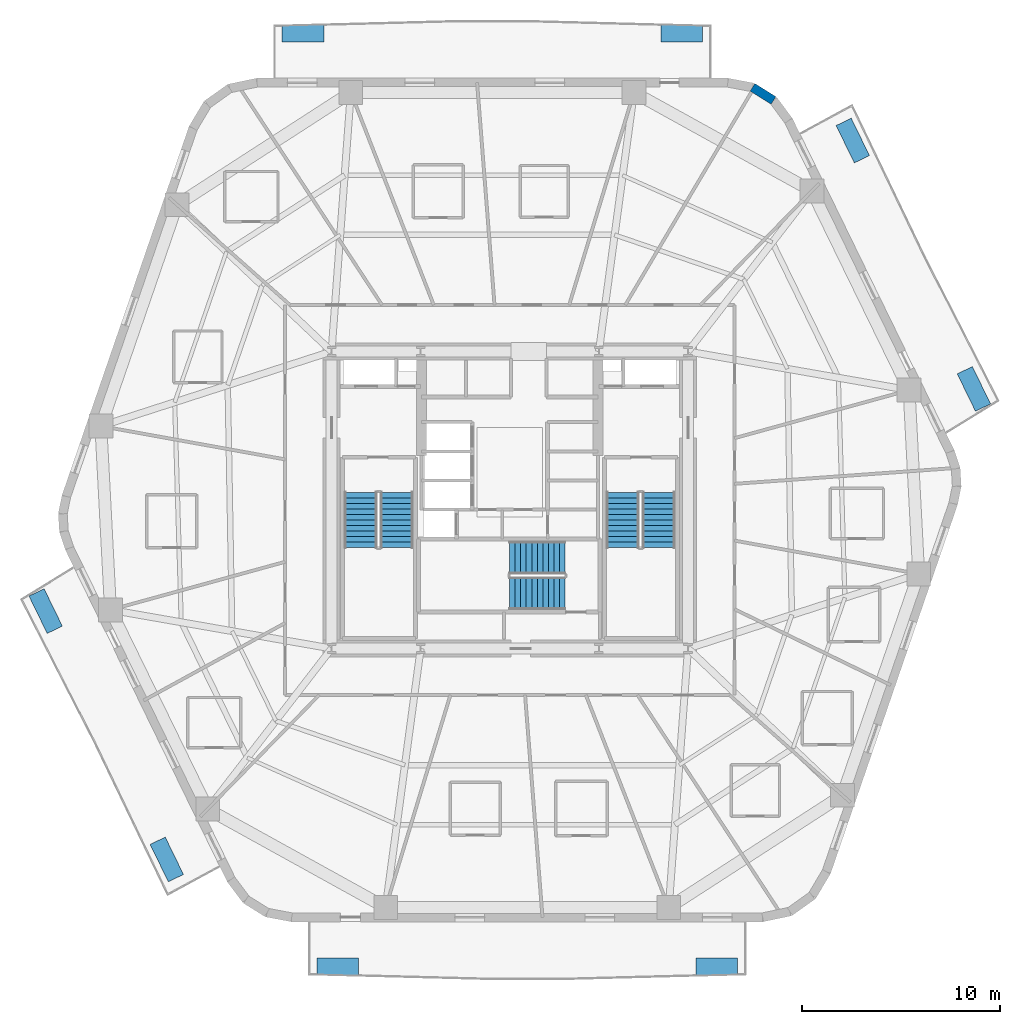
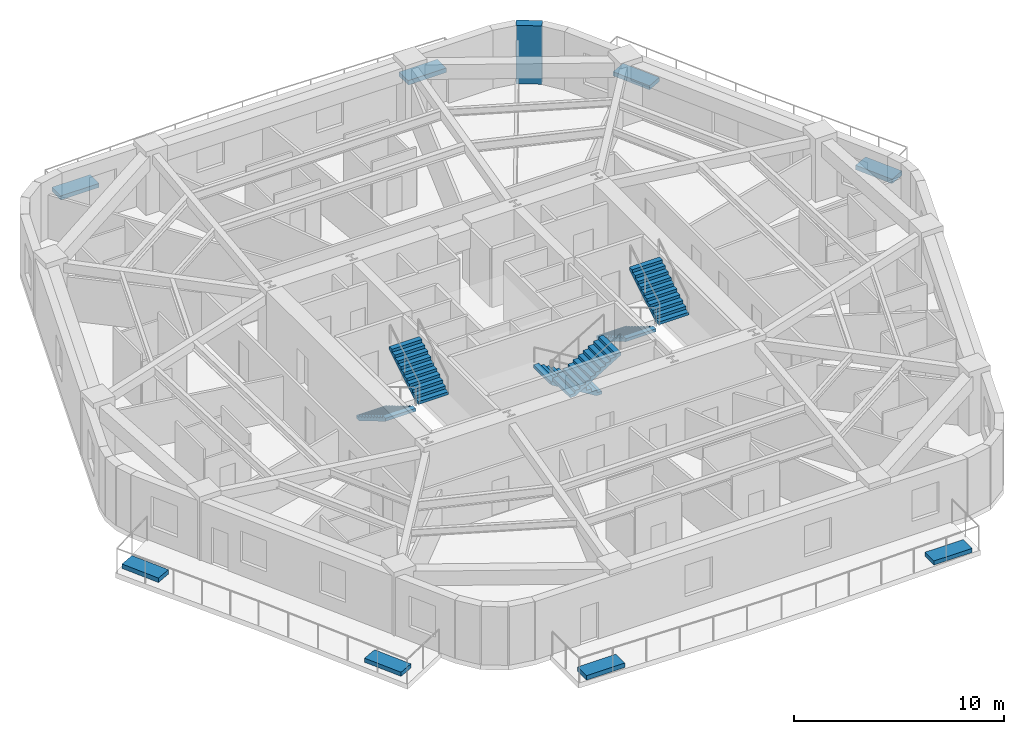
# One storey, part 7 of 10: 8 discrete accessories, 6 stair flights, 1 wall, 3 elements without a shape of their own.
"""IFC4 building model written with IfcOpenShell, lengths in metres."""

from ifc_helpers import new_model, si_unit, direction, frame, frame_2d, origin, origin_2d, place, context, subcontext, project, spatial, polyline, rectangle, outline, extrude, material, layer, layer_set, type_object, element, aggregate, save


model = new_model("IFC4")

# Units and contexts
model_context = context("Model", 3, precision=1e-05, world=origin(), true_north=direction((0.0, 1.0)))
body_context = subcontext(model_context, "Body", "Model", "MODEL_VIEW")
ifc_project = project(units=[si_unit("LENGTHUNIT", "METRE"), si_unit("AREAUNIT", "SQUARE_METRE"), si_unit("VOLUMEUNIT", "CUBIC_METRE"), si_unit("PLANEANGLEUNIT", "RADIAN"), si_unit("MASSUNIT", "GRAM", prefix="KILO")], contexts=[model_context])

# Site, building, storey
site_placement = place(None, origin())
site = spatial("IfcSite", under=ifc_project, at=site_placement, CompositionType="ELEMENT")
building_placement = place(site_placement, origin())
building = spatial("IfcBuilding", under=site, at=building_placement, Name="Kilnhurst Terrace Hotel", CompositionType="ELEMENT")
storey_placement = place(building_placement, frame((0.0, 0.0, 95.10009765625)))
storey = spatial("IfcBuildingStorey", under=building, at=storey_placement, Name="L22", CompositionType="ELEMENT", Elevation=95.10009765625)

# Wall
ifc_material_1 = material(Name="Precast concrete C40/50", Category="concrete")
ifc_layer = layer(ifc_material_1, 0.449951171875, Name="Precast concrete C40/50")
ifc_layer_set = layer_set([ifc_layer], Name="Precast concrete C40/50")
wall_type = type_object("IfcWallType", Name="WL-BRK-450", PredefinedType="SOLIDWALL", material=ifc_layer_set)
wall_placement = place(storey_placement, frame((13.317626953125, 20.1787109375, 0.0), z_axis=(0.0, 0.0, 1.0), x_axis=(-0.848031272749, 0.529946186362, 0.0)))
element("IfcWall", 1, at=wall_placement, inside=storey, type_object=wall_type, Name="L22 Rounded Corner Brick Wall C4.2", PredefinedType="SOLIDWALL", context=body_context, shape_type="SweptSolid", body=[
    extrude(rectangle(XDim=1.248046875, YDim=0.449951171875, at=frame_2d((0.6240234375, 0.0))), origin(), (0.0, 0.0, 1.0), 3.39990234375),
])

# Stair, stair flights
ifc_material_2 = material(Name="Concrete C50/60", Category="concrete")
stair_type = type_object("IfcStairType", Name="STR-CORE-1660", PredefinedType="HALF_TURN_STAIR", material=ifc_material_2)
stair_1_placement = place(storey_placement, origin())
stair_1 = element("IfcStair", 2, at=stair_1_placement, inside=storey, type_object=stair_type, Name="L22 ST-1", PredefinedType="HALF_TURN_STAIR")
stair_flight_type = type_object("IfcStairFlightType", Name="FLT-RC-1660", PredefinedType="STRAIGHT", material=ifc_material_2)
stair_flight_1_placement = place(storey_placement, frame((-7.52001953125, 0.389892578125, 0.0), z_axis=(0.0, 0.0, 1.0), x_axis=(0.0, -1.0, 0.0)))
stair_flight_1 = element("IfcStairFlight", 3, at=stair_flight_1_placement, type_object=stair_flight_type, Name="ST-1 flight 1", NumberOfRisers=11, NumberOfTreads=10, PredefinedType="STRAIGHT", RiserHeight=0.168181818, TreadLength=0.28, context=body_context, shape_type="SweptSolid", body=[
    extrude(outline(polyline([(0.0, 0.0), (0.0, 0.168212890625), (0.280029296875, 0.168212890625), (0.280029296875, 0.33642578125), (0.56005859375, 0.33642578125), (0.56005859375, 0.504638671875), (0.840087890625, 0.504638671875), (0.840087890625, 0.672607421875), (1.1201171875, 0.672607421875), (1.1201171875, 0.8408203125), (1.39990234375, 0.8408203125), (1.39990234375, 1.009033203125), (1.679931640625, 1.009033203125), (1.679931640625, 1.17724609375), (1.9599609375, 1.17724609375), (1.9599609375, 1.345458984375), (2.239990234375, 1.345458984375), (2.239990234375, 1.513671875), (2.52001953125, 1.513671875), (2.52001953125, 1.681884765625), (2.800048828125, 1.681884765625), (2.800048828125, 1.85009765625), (2.800048828125, 1.5068359375), (0.291015625, 0.0), (0.0, 0.0)])), frame((0.0, 0.830078125, 0.0), z_axis=(0.0, -1.0, 0.0), x_axis=(1.0, 0.0, 0.0)), (0.0, 0.0, 1.0), 1.659912109375),
])
stair_flight_2_placement = place(storey_placement, frame((-5.7099609375, -2.409912109375, 1.849853515625), z_axis=(0.0, 0.0, 1.0), x_axis=(0.0, 1.0, 0.0)))
stair_flight_2 = element("IfcStairFlight", 4, at=stair_flight_2_placement, type_object=stair_flight_type, Name="ST-1 flight 2", NumberOfRisers=11, NumberOfTreads=10, PredefinedType="STRAIGHT", RiserHeight=0.168181818, TreadLength=0.28, context=body_context, shape_type="SweptSolid", body=[
    extrude(outline(polyline([(0.0, 0.0), (0.0, 0.168212890625), (0.280029296875, 0.168212890625), (0.280029296875, 0.33642578125), (0.56005859375, 0.33642578125), (0.56005859375, 0.504638671875), (0.840087890625, 0.504638671875), (0.840087890625, 0.672607421875), (1.1201171875, 0.672607421875), (1.1201171875, 0.8408203125), (1.39990234375, 0.8408203125), (1.39990234375, 1.009033203125), (1.679931640625, 1.009033203125), (1.679931640625, 1.17724609375), (1.9599609375, 1.17724609375), (1.9599609375, 1.345458984375), (2.239990234375, 1.345458984375), (2.239990234375, 1.513671875), (2.52001953125, 1.513671875), (2.52001953125, 1.681884765625), (2.800048828125, 1.681884765625), (2.800048828125, 1.85009765625), (2.800048828125, 1.5068359375), (0.291015625, 0.0), (0.0, 0.0)])), frame((0.0, 0.830078125, 0.0), z_axis=(0.0, -1.0, 0.0), x_axis=(1.0, 0.0, 0.0)), (0.0, 0.0, 1.0), 1.659912109375),
])
aggregate(stair_1, [stair_flight_1, stair_flight_2])

stair_2_placement = place(storey_placement, origin())
stair_2 = element("IfcStair", 5, at=stair_2_placement, inside=storey, type_object=stair_type, Name="L22 ST-2", PredefinedType="HALF_TURN_STAIR")
stair_flight_3_placement = place(storey_placement, frame((5.7099609375, 0.389892578125, 0.0), z_axis=(0.0, 0.0, 1.0), x_axis=(0.0, -1.0, 0.0)))
stair_flight_3 = element("IfcStairFlight", 6, at=stair_flight_3_placement, type_object=stair_flight_type, Name="ST-2 flight 1", NumberOfRisers=11, NumberOfTreads=10, PredefinedType="STRAIGHT", RiserHeight=0.168181818, TreadLength=0.28, context=body_context, shape_type="SweptSolid", body=[
    extrude(outline(polyline([(0.0, 0.0), (0.0, 0.168212890625), (0.280029296875, 0.168212890625), (0.280029296875, 0.33642578125), (0.56005859375, 0.33642578125), (0.56005859375, 0.504638671875), (0.840087890625, 0.504638671875), (0.840087890625, 0.672607421875), (1.1201171875, 0.672607421875), (1.1201171875, 0.8408203125), (1.39990234375, 0.8408203125), (1.39990234375, 1.009033203125), (1.679931640625, 1.009033203125), (1.679931640625, 1.17724609375), (1.9599609375, 1.17724609375), (1.9599609375, 1.345458984375), (2.239990234375, 1.345458984375), (2.239990234375, 1.513671875), (2.52001953125, 1.513671875), (2.52001953125, 1.681884765625), (2.800048828125, 1.681884765625), (2.800048828125, 1.85009765625), (2.800048828125, 1.5068359375), (0.291015625, 0.0), (0.0, 0.0)])), frame((0.0, 0.830078125, 0.0), z_axis=(0.0, -1.0, 0.0), x_axis=(1.0, 0.0, 0.0)), (0.0, 0.0, 1.0), 1.659912109375),
])
stair_flight_4_placement = place(storey_placement, frame((7.52001953125, -2.409912109375, 1.849853515625), z_axis=(0.0, 0.0, 1.0), x_axis=(0.0, 1.0, 0.0)))
stair_flight_4 = element("IfcStairFlight", 7, at=stair_flight_4_placement, type_object=stair_flight_type, Name="ST-2 flight 2", NumberOfRisers=11, NumberOfTreads=10, PredefinedType="STRAIGHT", RiserHeight=0.168181818, TreadLength=0.28, context=body_context, shape_type="SweptSolid", body=[
    extrude(outline(polyline([(0.0, 0.0), (0.0, 0.168212890625), (0.280029296875, 0.168212890625), (0.280029296875, 0.33642578125), (0.56005859375, 0.33642578125), (0.56005859375, 0.504638671875), (0.840087890625, 0.504638671875), (0.840087890625, 0.672607421875), (1.1201171875, 0.672607421875), (1.1201171875, 0.8408203125), (1.39990234375, 0.8408203125), (1.39990234375, 1.009033203125), (1.679931640625, 1.009033203125), (1.679931640625, 1.17724609375), (1.9599609375, 1.17724609375), (1.9599609375, 1.345458984375), (2.239990234375, 1.345458984375), (2.239990234375, 1.513671875), (2.52001953125, 1.513671875), (2.52001953125, 1.681884765625), (2.800048828125, 1.681884765625), (2.800048828125, 1.85009765625), (2.800048828125, 1.5068359375), (0.291015625, 0.0), (0.0, 0.0)])), frame((0.0, 0.830078125, 0.0), z_axis=(0.0, -1.0, 0.0), x_axis=(1.0, 0.0, 0.0)), (0.0, 0.0, 1.0), 1.659912109375),
])
aggregate(stair_2, [stair_flight_3, stair_flight_4])

stair_3_placement = place(storey_placement, origin())
stair_3 = element("IfcStair", 8, at=stair_3_placement, inside=storey, type_object=stair_type, Name="L22 ST-3", PredefinedType="HALF_TURN_STAIR")
stair_flight_5_placement = place(storey_placement, frame((2.7900390625, -2.909912109375, 0.0), z_axis=(0.0, 0.0, 1.0), x_axis=(-1.0, 0.0, 0.0)))
stair_flight_5 = element("IfcStairFlight", 9, at=stair_flight_5_placement, type_object=stair_flight_type, Name="ST-3 flight 1", NumberOfRisers=11, NumberOfTreads=10, PredefinedType="STRAIGHT", RiserHeight=0.168181818, TreadLength=0.28, context=body_context, shape_type="SweptSolid", body=[
    extrude(outline(polyline([(0.0, 0.0), (0.0, 0.168212890625), (0.280029296875, 0.168212890625), (0.280029296875, 0.33642578125), (0.56005859375, 0.33642578125), (0.56005859375, 0.504638671875), (0.840087890625, 0.504638671875), (0.840087890625, 0.672607421875), (1.1201171875, 0.672607421875), (1.1201171875, 0.8408203125), (1.39990234375, 0.8408203125), (1.39990234375, 1.009033203125), (1.679931640625, 1.009033203125), (1.679931640625, 1.17724609375), (1.9599609375, 1.17724609375), (1.9599609375, 1.345458984375), (2.239990234375, 1.345458984375), (2.239990234375, 1.513671875), (2.52001953125, 1.513671875), (2.52001953125, 1.681884765625), (2.800048828125, 1.681884765625), (2.800048828125, 1.85009765625), (2.800048828125, 1.5068359375), (0.291015625, 0.0), (0.0, 0.0)])), frame((0.0, 0.830078125, 0.0), z_axis=(0.0, -1.0, 0.0), x_axis=(1.0, 0.0, 0.0)), (0.0, 0.0, 1.0), 1.659912109375),
])
stair_flight_6_placement = place(storey_placement, frame((-0.010009765625, -4.719970703125, 1.849853515625), z_axis=(0.0, 0.0, 1.0), x_axis=(1.0, 0.0, 0.0)))
stair_flight_6 = element("IfcStairFlight", 10, at=stair_flight_6_placement, type_object=stair_flight_type, Name="ST-3 flight 2", NumberOfRisers=11, NumberOfTreads=10, PredefinedType="STRAIGHT", RiserHeight=0.168181818, TreadLength=0.28, context=body_context, shape_type="SweptSolid", body=[
    extrude(outline(polyline([(0.0, 0.0), (0.0, 0.168212890625), (0.280029296875, 0.168212890625), (0.280029296875, 0.33642578125), (0.56005859375, 0.33642578125), (0.56005859375, 0.504638671875), (0.840087890625, 0.504638671875), (0.840087890625, 0.672607421875), (1.1201171875, 0.672607421875), (1.1201171875, 0.8408203125), (1.39990234375, 0.8408203125), (1.39990234375, 1.009033203125), (1.679931640625, 1.009033203125), (1.679931640625, 1.17724609375), (1.9599609375, 1.17724609375), (1.9599609375, 1.345458984375), (2.239990234375, 1.345458984375), (2.239990234375, 1.513671875), (2.52001953125, 1.513671875), (2.52001953125, 1.681884765625), (2.800048828125, 1.681884765625), (2.800048828125, 1.85009765625), (2.800048828125, 1.5068359375), (0.291015625, 0.0), (0.0, 0.0)])), frame((0.0, 0.830078125, 0.0), z_axis=(0.0, -1.0, 0.0), x_axis=(1.0, 0.0, 0.0)), (0.0, 0.0, 1.0), 1.659912109375),
])
aggregate(stair_3, [stair_flight_5, stair_flight_6])

# Discrete accessories
ifc_material_3 = material(Name="Precast Concrete C40/50 Shrub Planter", Category="concrete")
discrete_accessory_type_1 = type_object("IfcDiscreteAccessoryType", Name="PLN-SHRUB-240", PredefinedType="USERDEFINED", material=ifc_material_3)
for number, where, z_axis, x_axis, name in (
    (11, (17.321044921875, 18.15234375, 0.0), (0.0, 0.0, 1.0), (-0.438386833638, 0.898786395142, 0.0), "L22 Structural Tree Planter Box PLANTER BAL-L1A.2"),
    (12, (-10.443603515625, 23.550048828125, 0.0), (0.0, 0.0, 1.0), (-1.0, 0.0, 0.0), "L22 Structural Tree Planter Box PLANTER BAL-L1B.2"),
    (13, (-17.321044921875, -18.15234375, 0.0), (0.0, 0.0, 1.0), (0.438386833638, -0.898786395142, 0.0), "L22 Structural Tree Planter Box PLANTER BAL-L2A.2"),
    (14, (10.443603515625, -23.550048828125, 0.0), (0.0, 0.0, 1.0), (1.0, 0.0, 0.0), "L22 Structural Tree Planter Box PLANTER BAL-L2B.2"),
):
    element("IfcDiscreteAccessory", number, at=place(storey_placement, frame(where, z_axis=z_axis, x_axis=x_axis)), inside=storey, type_object=discrete_accessory_type_1, Name=name, ObjectType="PLANTER", PredefinedType="USERDEFINED", context=body_context, shape_type="SweptSolid", body=[
        extrude(rectangle(XDim=2.10009765625, YDim=0.85009765625, at=origin_2d()), origin(), (0.0, 0.0, 1.0), 0.239990234375),
    ])
ifc_material_4 = material(Name="Precast Concrete C40/50 Tree Planter", Category="concrete")
discrete_accessory_type_2 = type_object("IfcDiscreteAccessoryType", Name="PLN-TREE-260", PredefinedType="USERDEFINED", material=ifc_material_4)
for number, where, z_axis, x_axis, name in (
    (15, (23.4384765625, 5.6103515625, 0.0), (0.0, 0.0, 1.0), (-0.438386833638, 0.898786395142, 0.0), "L22 Structural Tree Planter Box PLANTER BAL-L1A.1"),
    (16, (8.68310546875, 23.550048828125, 0.0), (0.0, 0.0, 1.0), (-1.0, 0.0, 0.0), "L22 Structural Tree Planter Box PLANTER BAL-L1B.1"),
    (17, (-23.4384765625, -5.6103515625, 0.0), (0.0, 0.0, 1.0), (0.438386833638, -0.898786395142, 0.0), "L22 Structural Tree Planter Box PLANTER BAL-L2A.1"),
    (18, (-8.68310546875, -23.550048828125, 0.0), (0.0, 0.0, 1.0), (1.0, 0.0, 0.0), "L22 Structural Tree Planter Box PLANTER BAL-L2B.1"),
):
    element("IfcDiscreteAccessory", number, at=place(storey_placement, frame(where, z_axis=z_axis, x_axis=x_axis)), inside=storey, type_object=discrete_accessory_type_2, Name=name, ObjectType="PLANTER", PredefinedType="USERDEFINED", context=body_context, shape_type="SweptSolid", body=[
        extrude(rectangle(XDim=2.10009765625, YDim=0.85009765625, at=origin_2d()), origin(), (0.0, 0.0, 1.0), 0.260009765625),
    ])

save(model, "model.ifc")
